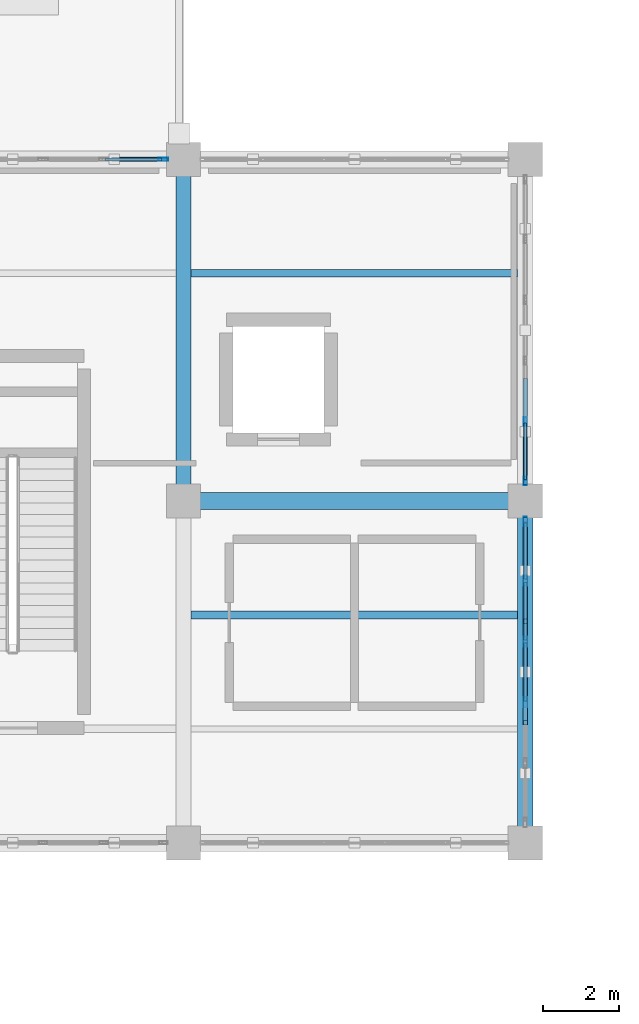
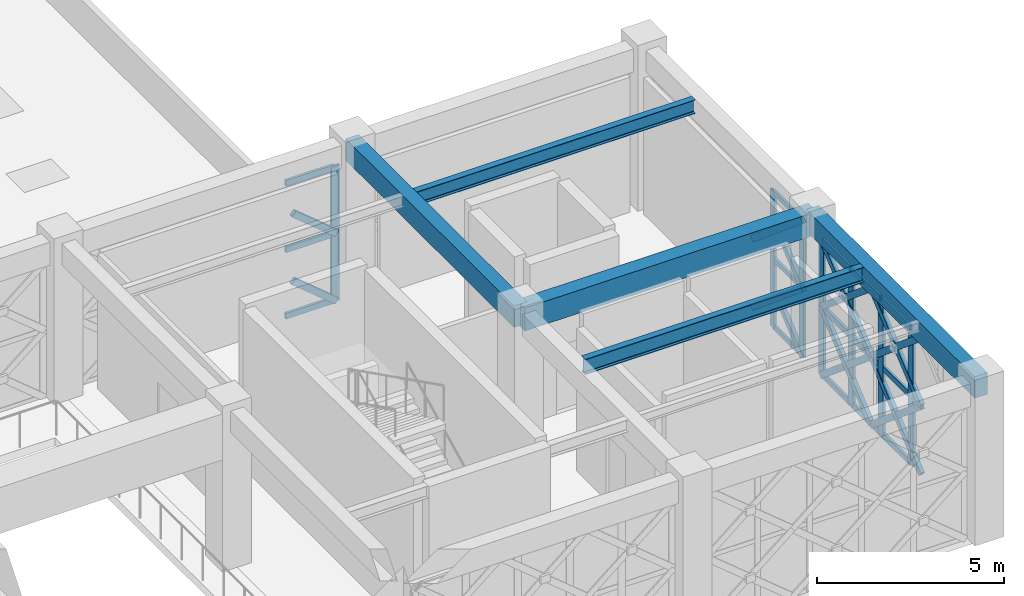
# One storey, part 100 of 155: 40 members, 5 beams, 3 elements without a shape of their own.
"""IFC4 building model written with IfcOpenShell, lengths in metres."""

from ifc_helpers import new_model, si_unit, direction, frame, origin, origin_2d, place, context, subcontext, project, spatial, rectangle, hollow_rectangle, i_section, extrude, material, material_profile, profile_set, type_object, element, aggregate, save


model = new_model("IFC4")

# Units and contexts
model_context = context("Model", 3, precision=1e-05, world=origin(), true_north=direction((0.0, 1.0)))
body_context = subcontext(model_context, "Body", "Model", "MODEL_VIEW")
ifc_project = project(units=[si_unit("LENGTHUNIT", "METRE"), si_unit("AREAUNIT", "SQUARE_METRE"), si_unit("VOLUMEUNIT", "CUBIC_METRE"), si_unit("PLANEANGLEUNIT", "RADIAN"), si_unit("MASSUNIT", "GRAM", prefix="KILO")], contexts=[model_context])

# Site, building, storey
site_placement = place(None, origin())
site = spatial("IfcSite", under=ifc_project, at=site_placement, CompositionType="ELEMENT")
building_placement = place(site_placement, origin())
building = spatial("IfcBuilding", under=site, at=building_placement, Name="Haizhuo Lancet Aquarium", CompositionType="ELEMENT")
storey_placement = place(building_placement, frame((0.0, 0.0, 10.800048828125)))
storey = spatial("IfcBuildingStorey", under=building, at=storey_placement, Name="L02", CompositionType="ELEMENT", Elevation=10.800048828125)

# Beams
ifc_material_1 = material(Name="Concrete C40/50", Category="concrete")
ifc_material_profile_1 = material_profile(ifc_material_1, rectangle(XDim=0.39990234375, YDim=0.699951171875, at=origin_2d()), Name="RC-BM 400x700")
ifc_profile_set_1 = profile_set([ifc_material_profile_1], Name="Concrete C40/50")
beam_type_1 = type_object("IfcBeamType", Name="BM-RC-400x700", PredefinedType="BEAM", material=ifc_profile_set_1)
for number, where, z_axis, x_axis, name in (
    (1, (63.0, -18.0, 4.81005859375), (0.0, 1.0, 0.0), (-1.0, 0.0, 0.0), "L02 V3 primary girder BM-L02-V3-024"),
    (2, (72.0, -27.0, 4.81005859375), (0.0, 1.0, 0.0), (-1.0, 0.0, 0.0), "L02 V3 primary girder BM-L02-V3-027"),
):
    element("IfcBeam", number, at=place(storey_placement, frame(where, z_axis=z_axis, x_axis=x_axis)), inside=storey, type_object=beam_type_1, Name=name, PredefinedType="BEAM", context=body_context, shape_type="SweptSolid", body=[
        extrude(rectangle(XDim=0.39990234375, YDim=0.699951171875, at=origin_2d()), origin(), (0.0, 0.0, 1.0), 9.0),
    ])
ifc_material_profile_2 = material_profile(ifc_material_1, rectangle(XDim=0.449951171875, YDim=0.75, at=origin_2d()), Name="RC-BM 450x750")
ifc_profile_set_2 = profile_set([ifc_material_profile_2], Name="Concrete C40/50")
beam_type_2 = type_object("IfcBeamType", Name="BM-RC-450x750", PredefinedType="BEAM", material=ifc_profile_set_2)
beam_1_placement = place(storey_placement, frame((63.0, -18.0, 4.784912109375), z_axis=(1.0, 0.0, 0.0), x_axis=(0.0, 1.0, 0.0)))
element("IfcBeam", 3, at=beam_1_placement, inside=storey, type_object=beam_type_2, Name="L02 V3 primary girder BM-L02-V3-025", PredefinedType="BEAM", context=body_context, shape_type="SweptSolid", body=[
    extrude(rectangle(XDim=0.449951171875, YDim=0.75, at=origin_2d()), origin(), (0.0, 0.0, 1.0), 9.0),
])

# Curtain wall, members
ifc_material_2 = material(Name="Aluminium 6063-T6", Category="aluminium")
curtain_wall_type_1 = type_object("IfcCurtainWallType", Name="CWO-8010x4460", PredefinedType="NOTDEFINED", material=ifc_material_2)
curtain_wall_1_placement = place(storey_placement, origin())
curtain_wall_1 = element("IfcCurtainWall", 4, at=curtain_wall_1_placement, inside=storey, type_object=curtain_wall_type_1, Name="L02 curtain wall CW-V3-L02-056", PredefinedType="NOTDEFINED")
ifc_material_profile_3 = material_profile(ifc_material_2, hollow_rectangle(XDim=0.074951171875, YDim=0.219970703125, WallThickness=0.0048828125, at=origin_2d()), Name="ALU-M 75x220x5")
ifc_profile_set_3 = profile_set([ifc_material_profile_3], Name="Aluminium 6063-T6")
member_type_1 = type_object("IfcMemberType", Name="CW-MUL-2", PredefinedType="MULLION", material=ifc_profile_set_3)
member_1_placement = place(storey_placement, frame((72.0, -15.903076171875, 0.0), z_axis=(0.0, 0.0, 1.0), x_axis=(1.0, 0.0, 0.0)))
member_1 = element("IfcMember", 5, at=member_1_placement, type_object=member_type_1, Name="CWO-80x44 mullion 5", PredefinedType="MULLION", context=body_context, shape_type="SweptSolid", body=[
    extrude(hollow_rectangle(XDim=0.074951171875, YDim=0.219970703125, WallThickness=0.0048828125, at=origin_2d()), origin(), (0.0, 0.0, 1.0), 4.4599609375),
])
member_2_placement = place(storey_placement, frame((72.0, -17.468017578125, 0.0), z_axis=(0.0, 0.0, 1.0), x_axis=(1.0, 0.0, 0.0)))
member_2 = element("IfcMember", 6, at=member_2_placement, type_object=member_type_1, Name="CWO-80x44 mullion 6", PredefinedType="MULLION", context=body_context, shape_type="SweptSolid", body=[
    extrude(hollow_rectangle(XDim=0.074951171875, YDim=0.219970703125, WallThickness=0.0048828125, at=origin_2d()), origin(), (0.0, 0.0, 1.0), 4.4599609375),
])

# Curtain wall, member
curtain_wall_type_2 = type_object("IfcCurtainWallType", Name="CWO-8010x4410", PredefinedType="NOTDEFINED", material=ifc_material_2)
curtain_wall_2_placement = place(storey_placement, origin())
curtain_wall_2 = element("IfcCurtainWall", 7, at=curtain_wall_2_placement, inside=storey, type_object=curtain_wall_type_2, Name="L02 curtain wall CW-V3-L02-054", PredefinedType="NOTDEFINED")
ifc_material_profile_4 = material_profile(ifc_material_2, hollow_rectangle(XDim=0.080078125, YDim=0.260009765625, WallThickness=0.0048828125, at=origin_2d()), Name="ALU-M 80x260x5")
ifc_profile_set_4 = profile_set([ifc_material_profile_4], Name="Aluminium 6063-T6")
member_type_2 = type_object("IfcMemberType", Name="CW-MUL-3", PredefinedType="MULLION", material=ifc_profile_set_4)
member_3_placement = place(storey_placement, frame((62.465087890625, -9.0, 0.0), z_axis=(0.0, 0.0, 1.0), x_axis=(0.0, 1.0, 0.0)))
member_3 = element("IfcMember", 8, at=member_3_placement, type_object=member_type_2, Name="CWO-80x44 mullion 6", PredefinedType="MULLION", context=body_context, shape_type="SweptSolid", body=[
    extrude(hollow_rectangle(XDim=0.080078125, YDim=0.260009765625, WallThickness=0.0048828125, at=origin_2d()), origin(), (0.0, 0.0, 1.0), 4.409912109375),
])

# Curtain wall, members
curtain_wall_3_placement = place(storey_placement, origin())
curtain_wall_3 = element("IfcCurtainWall", 9, at=curtain_wall_3_placement, inside=storey, type_object=curtain_wall_type_1, Name="L02 curtain wall CW-V3-L02-057", PredefinedType="NOTDEFINED")
member_4_placement = place(storey_placement, frame((72.0, -18.534912109375, 0.0), z_axis=(0.0, 0.0, 1.0), x_axis=(1.0, 0.0, 0.0)))
member_4 = element("IfcMember", 10, at=member_4_placement, type_object=member_type_2, Name="CWO-80x44 mullion 1", PredefinedType="MULLION", context=body_context, shape_type="SweptSolid", body=[
    extrude(hollow_rectangle(XDim=0.080078125, YDim=0.260009765625, WallThickness=0.0048828125, at=origin_2d()), origin(), (0.0, 0.0, 1.0), 4.4599609375),
])
member_5_placement = place(storey_placement, frame((72.0, -20.096923828125, 0.0), z_axis=(0.0, 0.0, 1.0), x_axis=(1.0, 0.0, 0.0)))
member_5 = element("IfcMember", 11, at=member_5_placement, type_object=member_type_2, Name="CWO-80x44 mullion 2", PredefinedType="MULLION", context=body_context, shape_type="SweptSolid", body=[
    extrude(hollow_rectangle(XDim=0.080078125, YDim=0.260009765625, WallThickness=0.0048828125, at=origin_2d()), origin(), (0.0, 0.0, 1.0), 4.4599609375),
])
member_6_placement = place(storey_placement, frame((72.0, -21.698974609375, 0.0), z_axis=(0.0, 0.0, 1.0), x_axis=(1.0, 0.0, 0.0)))
member_6 = element("IfcMember", 12, at=member_6_placement, type_object=member_type_2, Name="CWO-80x44 mullion 3", PredefinedType="MULLION", context=body_context, shape_type="SweptSolid", body=[
    extrude(hollow_rectangle(XDim=0.080078125, YDim=0.260009765625, WallThickness=0.0048828125, at=origin_2d()), origin(), (0.0, 0.0, 1.0), 4.4599609375),
])
member_7_placement = place(storey_placement, frame((72.0, -23.301025390625, 0.0), z_axis=(0.0, 0.0, 1.0), x_axis=(1.0, 0.0, 0.0)))
member_7 = element("IfcMember", 13, at=member_7_placement, type_object=member_type_2, Name="CWO-80x44 mullion 4", PredefinedType="MULLION", context=body_context, shape_type="SweptSolid", body=[
    extrude(hollow_rectangle(XDim=0.080078125, YDim=0.260009765625, WallThickness=0.0048828125, at=origin_2d()), origin(), (0.0, 0.0, 1.0), 4.4599609375),
])

# Member
ifc_material_profile_5 = material_profile(ifc_material_2, hollow_rectangle(XDim=0.074951171875, YDim=0.159912109375, WallThickness=0.00390625, at=origin_2d()), Name="ALU-T 75x160x4")
ifc_profile_set_5 = profile_set([ifc_material_profile_5], Name="Aluminium 6063-T6")
member_type_3 = type_object("IfcMemberType", Name="CW-TRN-2", PredefinedType="NOTDEFINED", material=ifc_profile_set_5)
member_8_placement = place(storey_placement, frame((72.0, -15.93994140625, 0.037841796875), z_axis=(0.0, -1.0, 0.0), x_axis=(1.0, 0.0, 0.0)))
member_8 = element("IfcMember", 14, at=member_8_placement, type_object=member_type_3, Name="CWO-80x44 transom 5.1", ObjectType="TRANSOM", PredefinedType="USERDEFINED", context=body_context, shape_type="SweptSolid", body=[
    extrude(hollow_rectangle(XDim=0.074951171875, YDim=0.159912109375, WallThickness=0.00390625, at=origin_2d()), origin(), (0.0, 0.0, 1.0), 1.489990234375),
])

member_9_placement = place(storey_placement, frame((72.0, -15.93994140625, 2.22998046875), z_axis=(0.0, -1.0, 0.0), x_axis=(1.0, 0.0, 0.0)))
member_9 = element("IfcMember", 15, at=member_9_placement, type_object=member_type_3, Name="CWO-80x44 transom 5.2", ObjectType="TRANSOM", PredefinedType="USERDEFINED", context=body_context, shape_type="SweptSolid", body=[
    extrude(hollow_rectangle(XDim=0.074951171875, YDim=0.159912109375, WallThickness=0.00390625, at=origin_2d()), origin(), (0.0, 0.0, 1.0), 1.489990234375),
])

member_10_placement = place(storey_placement, frame((72.0, -15.93994140625, 4.4228515625), z_axis=(0.0, -1.0, 0.0), x_axis=(1.0, 0.0, 0.0)))
member_10 = element("IfcMember", 16, at=member_10_placement, type_object=member_type_3, Name="CWO-80x44 transom 5.3", ObjectType="TRANSOM", PredefinedType="USERDEFINED", context=body_context, shape_type="SweptSolid", body=[
    extrude(hollow_rectangle(XDim=0.074951171875, YDim=0.159912109375, WallThickness=0.00390625, at=origin_2d()), origin(), (0.0, 0.0, 1.0), 1.489990234375),
])

aggregate(curtain_wall_1, [member_1, member_2, member_8, member_9, member_10])

ifc_material_profile_6 = material_profile(ifc_material_2, hollow_rectangle(XDim=0.080078125, YDim=0.18994140625, WallThickness=0.0048828125, at=origin_2d()), Name="ALU-T 80x190x5")
ifc_profile_set_6 = profile_set([ifc_material_profile_6], Name="Aluminium 6063-T6")
member_type_4 = type_object("IfcMemberType", Name="CW-TRN-3", PredefinedType="NOTDEFINED", material=ifc_profile_set_6)
member_11_placement = place(storey_placement, frame((60.943115234375, -9.0, 0.0400390625), z_axis=(1.0, 0.0, 0.0), x_axis=(0.0, 1.0, 0.0)))
member_11 = element("IfcMember", 17, at=member_11_placement, type_object=member_type_4, Name="CWO-80x44 transom 5.1", ObjectType="TRANSOM", PredefinedType="USERDEFINED", context=body_context, shape_type="SweptSolid", body=[
    extrude(hollow_rectangle(XDim=0.080078125, YDim=0.18994140625, WallThickness=0.0048828125, at=origin_2d()), origin(), (0.0, 0.0, 1.0), 1.48193359375),
])

member_12_placement = place(storey_placement, frame((60.943115234375, -9.0, 2.204833984375), z_axis=(1.0, 0.0, 0.0), x_axis=(0.0, 1.0, 0.0)))
member_12 = element("IfcMember", 18, at=member_12_placement, type_object=member_type_4, Name="CWO-80x44 transom 5.2", ObjectType="TRANSOM", PredefinedType="USERDEFINED", context=body_context, shape_type="SweptSolid", body=[
    extrude(hollow_rectangle(XDim=0.080078125, YDim=0.18994140625, WallThickness=0.0048828125, at=origin_2d()), origin(), (0.0, 0.0, 1.0), 1.48193359375),
])

member_13_placement = place(storey_placement, frame((60.943115234375, -9.0, 4.369873046875), z_axis=(1.0, 0.0, 0.0), x_axis=(0.0, 1.0, 0.0)))
member_13 = element("IfcMember", 19, at=member_13_placement, type_object=member_type_4, Name="CWO-80x44 transom 5.3", ObjectType="TRANSOM", PredefinedType="USERDEFINED", context=body_context, shape_type="SweptSolid", body=[
    extrude(hollow_rectangle(XDim=0.080078125, YDim=0.18994140625, WallThickness=0.0048828125, at=origin_2d()), origin(), (0.0, 0.0, 1.0), 1.48193359375),
])

aggregate(curtain_wall_2, [member_3, member_11, member_12, member_13])

member_14_placement = place(storey_placement, frame((72.0, -18.574951171875, 0.0400390625), z_axis=(0.0, -1.0, 0.0), x_axis=(1.0, 0.0, 0.0)))
member_14 = element("IfcMember", 20, at=member_14_placement, type_object=member_type_4, Name="CWO-80x44 transom 1.1", ObjectType="TRANSOM", PredefinedType="USERDEFINED", context=body_context, shape_type="SweptSolid", body=[
    extrude(hollow_rectangle(XDim=0.080078125, YDim=0.18994140625, WallThickness=0.0048828125, at=origin_2d()), origin(), (0.0, 0.0, 1.0), 1.48193359375),
])

member_15_placement = place(storey_placement, frame((72.0, -18.574951171875, 2.22998046875), z_axis=(0.0, -1.0, 0.0), x_axis=(1.0, 0.0, 0.0)))
member_15 = element("IfcMember", 21, at=member_15_placement, type_object=member_type_4, Name="CWO-80x44 transom 1.2", ObjectType="TRANSOM", PredefinedType="USERDEFINED", context=body_context, shape_type="SweptSolid", body=[
    extrude(hollow_rectangle(XDim=0.080078125, YDim=0.18994140625, WallThickness=0.0048828125, at=origin_2d()), origin(), (0.0, 0.0, 1.0), 1.48193359375),
])

member_16_placement = place(storey_placement, frame((72.0, -18.574951171875, 4.419921875), z_axis=(0.0, -1.0, 0.0), x_axis=(1.0, 0.0, 0.0)))
member_16 = element("IfcMember", 22, at=member_16_placement, type_object=member_type_4, Name="CWO-80x44 transom 1.3", ObjectType="TRANSOM", PredefinedType="USERDEFINED", context=body_context, shape_type="SweptSolid", body=[
    extrude(hollow_rectangle(XDim=0.080078125, YDim=0.18994140625, WallThickness=0.0048828125, at=origin_2d()), origin(), (0.0, 0.0, 1.0), 1.48193359375),
])

member_17_placement = place(storey_placement, frame((72.0, -20.136962890625, 0.0400390625), z_axis=(0.0, -1.0, 0.0), x_axis=(1.0, 0.0, 0.0)))
member_17 = element("IfcMember", 23, at=member_17_placement, type_object=member_type_4, Name="CWO-80x44 transom 2.1", ObjectType="TRANSOM", PredefinedType="USERDEFINED", context=body_context, shape_type="SweptSolid", body=[
    extrude(hollow_rectangle(XDim=0.080078125, YDim=0.18994140625, WallThickness=0.0048828125, at=origin_2d()), origin(), (0.0, 0.0, 1.0), 1.52197265625),
])

member_18_placement = place(storey_placement, frame((72.0, -20.136962890625, 2.22998046875), z_axis=(0.0, -1.0, 0.0), x_axis=(1.0, 0.0, 0.0)))
member_18 = element("IfcMember", 24, at=member_18_placement, type_object=member_type_4, Name="CWO-80x44 transom 2.2", ObjectType="TRANSOM", PredefinedType="USERDEFINED", context=body_context, shape_type="SweptSolid", body=[
    extrude(hollow_rectangle(XDim=0.080078125, YDim=0.18994140625, WallThickness=0.0048828125, at=origin_2d()), origin(), (0.0, 0.0, 1.0), 1.52197265625),
])

member_19_placement = place(storey_placement, frame((72.0, -20.136962890625, 4.419921875), z_axis=(0.0, -1.0, 0.0), x_axis=(1.0, 0.0, 0.0)))
member_19 = element("IfcMember", 25, at=member_19_placement, type_object=member_type_4, Name="CWO-80x44 transom 2.3", ObjectType="TRANSOM", PredefinedType="USERDEFINED", context=body_context, shape_type="SweptSolid", body=[
    extrude(hollow_rectangle(XDim=0.080078125, YDim=0.18994140625, WallThickness=0.0048828125, at=origin_2d()), origin(), (0.0, 0.0, 1.0), 1.52197265625),
])

member_20_placement = place(storey_placement, frame((72.0, -21.739013671875, 0.0400390625), z_axis=(0.0, -1.0, 0.0), x_axis=(1.0, 0.0, 0.0)))
member_20 = element("IfcMember", 26, at=member_20_placement, type_object=member_type_4, Name="CWO-80x44 transom 3.1", ObjectType="TRANSOM", PredefinedType="USERDEFINED", context=body_context, shape_type="SweptSolid", body=[
    extrude(hollow_rectangle(XDim=0.080078125, YDim=0.18994140625, WallThickness=0.0048828125, at=origin_2d()), origin(), (0.0, 0.0, 1.0), 1.52197265625),
])

member_21_placement = place(storey_placement, frame((72.0, -21.739013671875, 2.22998046875), z_axis=(0.0, -1.0, 0.0), x_axis=(1.0, 0.0, 0.0)))
member_21 = element("IfcMember", 27, at=member_21_placement, type_object=member_type_4, Name="CWO-80x44 transom 3.2", ObjectType="TRANSOM", PredefinedType="USERDEFINED", context=body_context, shape_type="SweptSolid", body=[
    extrude(hollow_rectangle(XDim=0.080078125, YDim=0.18994140625, WallThickness=0.0048828125, at=origin_2d()), origin(), (0.0, 0.0, 1.0), 1.52197265625),
])

member_22_placement = place(storey_placement, frame((72.0, -21.739013671875, 4.419921875), z_axis=(0.0, -1.0, 0.0), x_axis=(1.0, 0.0, 0.0)))
member_22 = element("IfcMember", 28, at=member_22_placement, type_object=member_type_4, Name="CWO-80x44 transom 3.3", ObjectType="TRANSOM", PredefinedType="USERDEFINED", context=body_context, shape_type="SweptSolid", body=[
    extrude(hollow_rectangle(XDim=0.080078125, YDim=0.18994140625, WallThickness=0.0048828125, at=origin_2d()), origin(), (0.0, 0.0, 1.0), 1.52197265625),
])

aggregate(curtain_wall_3, [member_4, member_5, member_6, member_7, member_14, member_15, member_16, member_17, member_18, member_19, member_20, member_21, member_22])

# Beams
ifc_material_3 = material(Name="Steel S355", Category="steel")
ifc_material_profile_7 = material_profile(ifc_material_3, i_section(OverallWidth=0.199951171875, OverallDepth=0.449951171875, WebThickness=0.009033203125, FlangeThickness=0.013916015625, FilletRadius=0.01806640625, at=origin_2d()), Name="HN 450x200x9x14")
ifc_profile_set_7 = profile_set([ifc_material_profile_7], Name="Steel S355")
beam_type_3 = type_object("IfcBeamType", Name="JST-ST-HN450", PredefinedType="JOIST", material=ifc_profile_set_7)
beam_2_placement = place(storey_placement, frame((63.199951171875, -12.0, 4.93505859375), z_axis=(1.0, 0.0, 0.0), x_axis=(0.0, 1.0, 0.0)))
element("IfcBeam", 29, at=beam_2_placement, inside=storey, type_object=beam_type_3, Name="L02 V3 secondary floor joist 13", PredefinedType="JOIST", context=body_context, shape_type="SweptSolid", body=[
    extrude(i_section(OverallWidth=0.199951171875, OverallDepth=0.449951171875, WebThickness=0.009033203125, FlangeThickness=0.013916015625, FilletRadius=0.01806640625, at=origin_2d()), origin(), (0.0, 0.0, 1.0), 8.60009765625),
])
ifc_material_profile_8 = material_profile(ifc_material_3, i_section(OverallWidth=0.199951171875, OverallDepth=0.5, WebThickness=0.010009765625, FlangeThickness=0.01611328125, FilletRadius=0.02001953125, at=origin_2d()), Name="HN 500x200x10x16")
ifc_profile_set_8 = profile_set([ifc_material_profile_8], Name="Steel S355")
beam_type_4 = type_object("IfcBeamType", Name="JST-ST-HN500", PredefinedType="JOIST", material=ifc_profile_set_8)
beam_3_placement = place(storey_placement, frame((63.199951171875, -21.0, 4.909912109375), z_axis=(1.0, 0.0, 0.0), x_axis=(0.0, 1.0, 0.0)))
element("IfcBeam", 30, at=beam_3_placement, inside=storey, type_object=beam_type_4, Name="L02 V3 secondary floor joist 12", PredefinedType="JOIST", context=body_context, shape_type="SweptSolid", body=[
    extrude(i_section(OverallWidth=0.199951171875, OverallDepth=0.5, WebThickness=0.010009765625, FlangeThickness=0.01611328125, FilletRadius=0.02001953125, at=origin_2d()), origin(), (0.0, 0.0, 1.0), 8.60009765625),
])

# Members
ifc_material_profile_9 = material_profile(ifc_material_3, hollow_rectangle(XDim=0.1201171875, YDim=0.199951171875, WallThickness=0.008056640625, at=origin_2d()), Name="RHS 120x200x8")
ifc_profile_set_9 = profile_set([ifc_material_profile_9], Name="Steel S355")
member_type_5 = type_object("IfcMemberType", Name="MEM-LB-RHS120x200", PredefinedType="BRACE", material=ifc_profile_set_9)
member_23_placement = place(storey_placement, frame((62.5048828125, -9.0, 0.0), z_axis=(-0.771172467693, 0.0, 0.63662628368), x_axis=(0.0, -1.0, 0.0)))
element("IfcMember", 31, at=member_23_placement, inside=storey, type_object=member_type_5, Name="Gothic lancet split diagonal brace CW-V3-L02-054 5B1", PredefinedType="BRACE", context=body_context, shape_type="SweptSolid", body=[
    extrude(hollow_rectangle(XDim=0.1201171875, YDim=0.199951171875, WallThickness=0.008056640625, at=origin_2d()), origin(), (0.0, 0.0, 1.0), 1.731201171875),
])
member_24_placement = place(storey_placement, frame((62.5048828125, -9.0, 2.204833984375), z_axis=(-0.770895532931, 0.0, 0.636961597985), x_axis=(0.0, -1.0, 0.0)))
element("IfcMember", 32, at=member_24_placement, inside=storey, type_object=member_type_5, Name="Gothic lancet split diagonal brace CW-V3-L02-054 6B1", PredefinedType="BRACE", context=body_context, shape_type="SweptSolid", body=[
    extrude(hollow_rectangle(XDim=0.1201171875, YDim=0.199951171875, WallThickness=0.008056640625, at=origin_2d()), origin(), (0.0, 0.0, 1.0), 1.731689453125),
])
member_25_placement = place(storey_placement, frame((72.0, -14.8349609375, 0.0), z_axis=(0.0, -0.767507480131, 0.641039989348), x_axis=(1.0, 0.0, 0.0)))
element("IfcMember", 33, at=member_25_placement, inside=storey, type_object=member_type_5, Name="Gothic lancet continuous diagonal brace CW-V3-L02-056 5A", PredefinedType="BRACE", context=body_context, shape_type="SweptSolid", body=[
    extrude(hollow_rectangle(XDim=0.1201171875, YDim=0.199951171875, WallThickness=0.008056640625, at=origin_2d()), origin(), (0.0, 0.0, 1.0), 3.478759765625),
])
member_26_placement = place(storey_placement, frame((72.0, -17.5048828125, 0.0), z_axis=(0.0, 0.767507480131, 0.641039989348), x_axis=(-1.0, 0.0, 0.0)))
element("IfcMember", 34, at=member_26_placement, inside=storey, type_object=member_type_5, Name="Gothic lancet split diagonal brace CW-V3-L02-056 5B1", PredefinedType="BRACE", context=body_context, shape_type="SweptSolid", body=[
    extrude(hollow_rectangle(XDim=0.1201171875, YDim=0.199951171875, WallThickness=0.008056640625, at=origin_2d()), origin(), (0.0, 0.0, 1.0), 1.7392578125),
])
member_27_placement = place(storey_placement, frame((72.0, -14.8349609375, 2.22998046875), z_axis=(0.0, -0.767507480131, 0.641039989348), x_axis=(1.0, 0.0, 0.0)))
element("IfcMember", 35, at=member_27_placement, inside=storey, type_object=member_type_5, Name="Gothic lancet continuous diagonal brace CW-V3-L02-056 6A", PredefinedType="BRACE", context=body_context, shape_type="SweptSolid", body=[
    extrude(hollow_rectangle(XDim=0.1201171875, YDim=0.199951171875, WallThickness=0.008056640625, at=origin_2d()), origin(), (0.0, 0.0, 1.0), 3.478759765625),
])
member_28_placement = place(storey_placement, frame((72.0, -17.5048828125, 2.22998046875), z_axis=(0.0, 0.767507480131, 0.641039989348), x_axis=(-1.0, 0.0, 0.0)))
element("IfcMember", 36, at=member_28_placement, inside=storey, type_object=member_type_5, Name="Gothic lancet split diagonal brace CW-V3-L02-056 6B1", PredefinedType="BRACE", context=body_context, shape_type="SweptSolid", body=[
    extrude(hollow_rectangle(XDim=0.1201171875, YDim=0.199951171875, WallThickness=0.008056640625, at=origin_2d()), origin(), (0.0, 0.0, 1.0), 1.7392578125),
])
member_29_placement = place(storey_placement, frame((72.0, -18.4951171875, 0.0), z_axis=(0.0, -0.767507480131, 0.641039989348), x_axis=(1.0, 0.0, 0.0)))
element("IfcMember", 37, at=member_29_placement, inside=storey, type_object=member_type_5, Name="Gothic lancet continuous diagonal brace CW-V3-L02-057 1A", PredefinedType="BRACE", context=body_context, shape_type="SweptSolid", body=[
    extrude(hollow_rectangle(XDim=0.1201171875, YDim=0.199951171875, WallThickness=0.008056640625, at=origin_2d()), origin(), (0.0, 0.0, 1.0), 3.478759765625),
])
for number, where, z_axis, x_axis, name in (
    (38, (72.0, -21.1650390625, 0.0), (0.0, 0.767507480131, 0.641039989348), (-1.0, 0.0, 0.0), "Gothic lancet split diagonal brace CW-V3-L02-057 1B1"),
    (39, (72.0, -19.830078125, 1.114990234375), (0.0, 0.767507480131, 0.641039989348), (-1.0, 0.0, 0.0), "Gothic lancet split diagonal brace CW-V3-L02-057 1B2"),
):
    element("IfcMember", number, at=place(storey_placement, frame(where, z_axis=z_axis, x_axis=x_axis)), inside=storey, type_object=member_type_5, Name=name, PredefinedType="BRACE", context=body_context, shape_type="SweptSolid", body=[
        extrude(hollow_rectangle(XDim=0.1201171875, YDim=0.199951171875, WallThickness=0.008056640625, at=origin_2d()), origin(), (0.0, 0.0, 1.0), 1.7392578125),
    ])
member_30_placement = place(storey_placement, frame((72.0, -18.4951171875, 2.22998046875), z_axis=(0.0, -0.767507480131, 0.641039989348), x_axis=(1.0, 0.0, 0.0)))
element("IfcMember", 40, at=member_30_placement, inside=storey, type_object=member_type_5, Name="Gothic lancet continuous diagonal brace CW-V3-L02-057 2A", PredefinedType="BRACE", context=body_context, shape_type="SweptSolid", body=[
    extrude(hollow_rectangle(XDim=0.1201171875, YDim=0.199951171875, WallThickness=0.008056640625, at=origin_2d()), origin(), (0.0, 0.0, 1.0), 3.478759765625),
])
for number, where, z_axis, x_axis, name in (
    (41, (72.0, -21.1650390625, 2.22998046875), (0.0, 0.767507480131, 0.641039989348), (-1.0, 0.0, 0.0), "Gothic lancet split diagonal brace CW-V3-L02-057 2B1"),
    (42, (72.0, -19.830078125, 3.344970703125), (0.0, 0.767507480131, 0.641039989348), (-1.0, 0.0, 0.0), "Gothic lancet split diagonal brace CW-V3-L02-057 2B2"),
):
    element("IfcMember", number, at=place(storey_placement, frame(where, z_axis=z_axis, x_axis=x_axis)), inside=storey, type_object=member_type_5, Name=name, PredefinedType="BRACE", context=body_context, shape_type="SweptSolid", body=[
        extrude(hollow_rectangle(XDim=0.1201171875, YDim=0.199951171875, WallThickness=0.008056640625, at=origin_2d()), origin(), (0.0, 0.0, 1.0), 1.7392578125),
    ])
member_31_placement = place(storey_placement, frame((72.0, -21.1650390625, 0.0), z_axis=(0.0, -0.767507480131, 0.641039989348), x_axis=(1.0, 0.0, 0.0)))
element("IfcMember", 43, at=member_31_placement, inside=storey, type_object=member_type_5, Name="Gothic lancet continuous diagonal brace CW-V3-L02-057 3A", PredefinedType="BRACE", context=body_context, shape_type="SweptSolid", body=[
    extrude(hollow_rectangle(XDim=0.1201171875, YDim=0.199951171875, WallThickness=0.008056640625, at=origin_2d()), origin(), (0.0, 0.0, 1.0), 3.478759765625),
])
for number, where, z_axis, x_axis, name in (
    (44, (72.0, -23.8349609375, 0.0), (0.0, 0.767507480131, 0.641039989348), (-1.0, 0.0, 0.0), "Gothic lancet split diagonal brace CW-V3-L02-057 3B1"),
    (45, (72.0, -22.5, 1.114990234375), (0.0, 0.767507480131, 0.641039989348), (-1.0, 0.0, 0.0), "Gothic lancet split diagonal brace CW-V3-L02-057 3B2"),
):
    element("IfcMember", number, at=place(storey_placement, frame(where, z_axis=z_axis, x_axis=x_axis)), inside=storey, type_object=member_type_5, Name=name, PredefinedType="BRACE", context=body_context, shape_type="SweptSolid", body=[
        extrude(hollow_rectangle(XDim=0.1201171875, YDim=0.199951171875, WallThickness=0.008056640625, at=origin_2d()), origin(), (0.0, 0.0, 1.0), 1.7392578125),
    ])
member_32_placement = place(storey_placement, frame((72.0, -21.1650390625, 2.22998046875), z_axis=(0.0, -0.767507480131, 0.641039989348), x_axis=(1.0, 0.0, 0.0)))
element("IfcMember", 46, at=member_32_placement, inside=storey, type_object=member_type_5, Name="Gothic lancet continuous diagonal brace CW-V3-L02-057 4A", PredefinedType="BRACE", context=body_context, shape_type="SweptSolid", body=[
    extrude(hollow_rectangle(XDim=0.1201171875, YDim=0.199951171875, WallThickness=0.008056640625, at=origin_2d()), origin(), (0.0, 0.0, 1.0), 3.478759765625),
])
for number, where, z_axis, x_axis, name in (
    (47, (72.0, -23.8349609375, 2.22998046875), (0.0, 0.767507480131, 0.641039989348), (-1.0, 0.0, 0.0), "Gothic lancet split diagonal brace CW-V3-L02-057 4B1"),
    (48, (72.0, -22.5, 3.344970703125), (0.0, 0.767507480131, 0.641039989348), (-1.0, 0.0, 0.0), "Gothic lancet split diagonal brace CW-V3-L02-057 4B2"),
):
    element("IfcMember", number, at=place(storey_placement, frame(where, z_axis=z_axis, x_axis=x_axis)), inside=storey, type_object=member_type_5, Name=name, PredefinedType="BRACE", context=body_context, shape_type="SweptSolid", body=[
        extrude(hollow_rectangle(XDim=0.1201171875, YDim=0.199951171875, WallThickness=0.008056640625, at=origin_2d()), origin(), (0.0, 0.0, 1.0), 1.7392578125),
    ])

save(model, "model.ifc")
